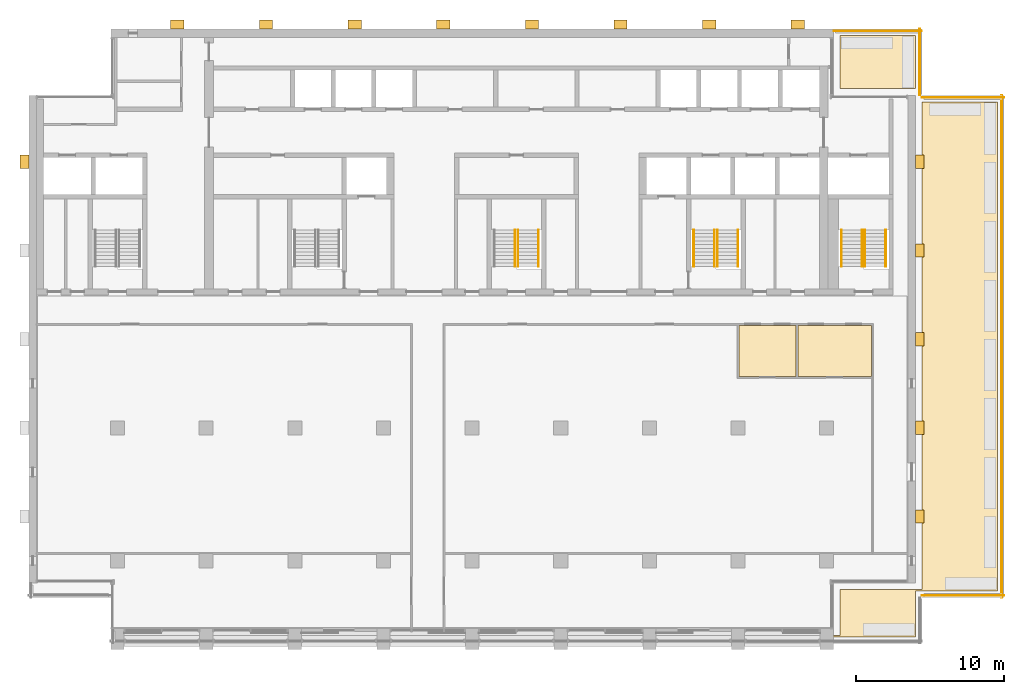
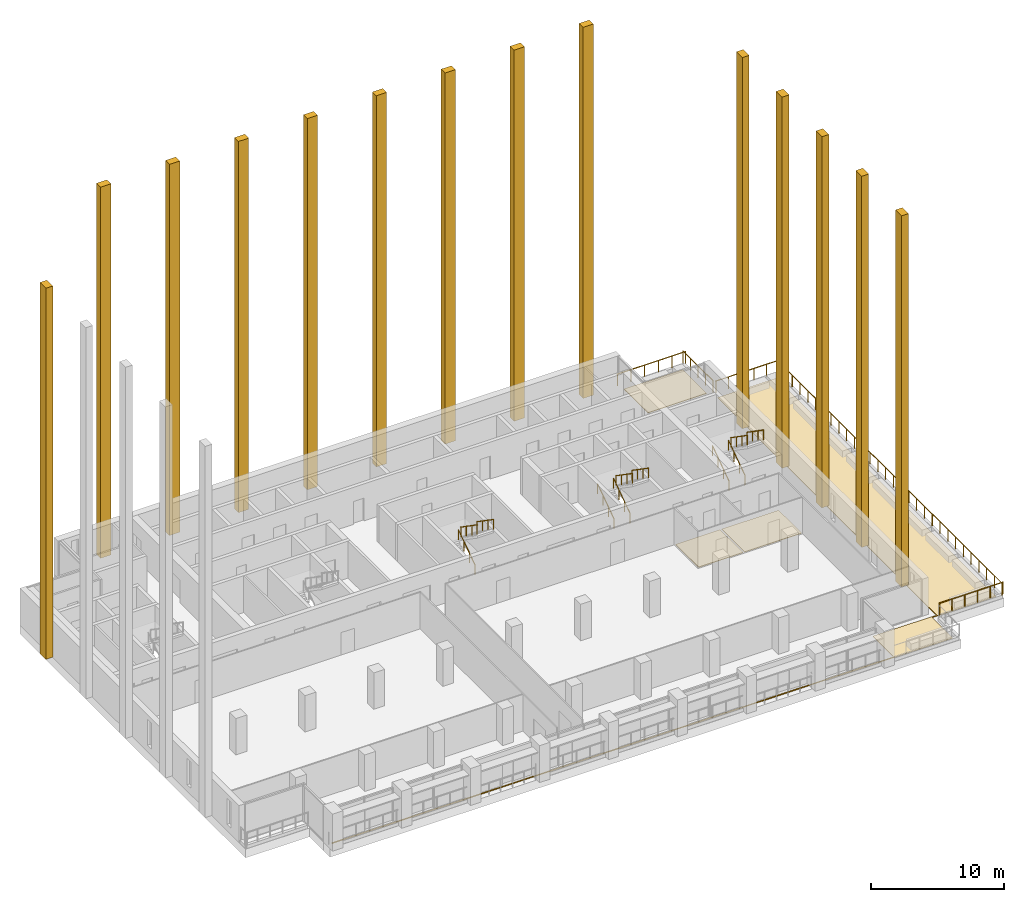
# One storey, part 15 of 16: 18 coverings, 16 railings, 3 elements without a shape of their own.
"""IFC4 building model written with IfcOpenShell, lengths in metres."""

from ifc_helpers import new_model, si_unit, direction, frame, origin, origin_2d, place, context, subcontext, project, spatial, polyline, circle, outline, extrude, material, layer, layer_set, type_object, element, aggregate, save


model = new_model("IFC4")

# Units and contexts
model_context = context("Model", 3, precision=1e-05, world=origin(), true_north=direction((0.0, 1.0)))
body_context = subcontext(model_context, "Body", "Model", "MODEL_VIEW")
ifc_project = project(units=[si_unit("LENGTHUNIT", "METRE"), si_unit("AREAUNIT", "SQUARE_METRE"), si_unit("VOLUMEUNIT", "CUBIC_METRE"), si_unit("PLANEANGLEUNIT", "RADIAN"), si_unit("MASSUNIT", "GRAM", prefix="KILO")], contexts=[model_context])

# Site, building, storey
site_placement = place(None, origin())
site = spatial("IfcSite", under=ifc_project, at=site_placement, CompositionType="ELEMENT")
building_placement = place(site_placement, origin())
building = spatial("IfcBuilding", under=site, at=building_placement, Name="Calvaro Tower", CompositionType="ELEMENT")
storey_placement = place(building_placement, frame((0.0, 0.0, 231.75)))
storey = spatial("IfcBuildingStorey", under=building, at=storey_placement, Name="L58", CompositionType="ELEMENT", Elevation=231.75)

# Coverings
ifc_material_1 = material(Name="Cement screed with carpet tile finish")
ifc_layer_1 = layer(ifc_material_1, 0.050048828125)
ifc_layer_set_1 = layer_set([ifc_layer_1], Name="Cement screed with carpet tile finish")
covering_type_1 = type_object("IfcCoveringType", Name="Floor finish 50", PredefinedType="FLOORING", material=ifc_layer_set_1)
covering_1_placement = place(storey_placement, origin())
element("IfcCovering", 1, at=covering_1_placement, inside=storey, type_object=covering_type_1, Name="Floor finish 43.06", PredefinedType="FLOORING", context=body_context, shape_type="SweptSolid", body=[
    extrude(outline(polyline([(54.070068359375, 22.469970703125), (54.070068359375, 25.929931640625), (57.929931640625, 25.929931640625), (57.929931640625, 22.469970703125), (54.070068359375, 22.469970703125)])), origin(), (0.0, 0.0, 1.0), 0.050048828125),
])
covering_2_placement = place(storey_placement, origin())
element("IfcCovering", 2, at=covering_2_placement, inside=storey, type_object=covering_type_1, Name="Floor finish 43.07", PredefinedType="FLOORING", context=body_context, shape_type="SweptSolid", body=[
    extrude(outline(polyline([(58.070068359375, 22.469970703125), (58.070068359375, 25.929931640625), (63.030029296875, 25.929931640625), (63.030029296875, 22.469970703125), (58.070068359375, 22.469970703125)])), origin(), (0.0, 0.0, 1.0), 0.050048828125),
])

# Railings
ifc_material_2 = material(Name="Stainless steel", Category="steel")
railing_type_1 = type_object("IfcRailingType", Name="Guard 1100", PredefinedType="GUARDRAIL", material=ifc_material_2)
railing_1_placement = place(storey_placement, frame((60.469970703125, 45.85009765625, 0.300048828125)))
element("IfcRailing", 3, at=railing_1_placement, inside=storey, type_object=railing_type_1, Name="Terrace guard", PredefinedType="GUARDRAIL", context=body_context, shape_type="SweptSolid", body=[
    extrude(circle(Radius=0.02392578125, at=origin_2d()), frame((0.0, 0.0, 1.076171875), z_axis=(1.0, 0.0, 0.0), x_axis=(0.0, 1.0, 0.0)), (0.0, 0.0, 1.0), 5.97998046875),
    extrude(circle(Radius=0.02099609375, at=origin_2d()), frame((0.02099609375, 0.0, 0.0)), (0.0, 0.0, 1.0), 1.052001953125),
    extrude(circle(Radius=0.02099609375, at=origin_2d()), frame((1.196044921875, 0.0, 0.0)), (0.0, 0.0, 1.0), 1.052001953125),
    extrude(circle(Radius=0.02099609375, at=origin_2d()), frame((2.39208984375, 0.0, 0.0)), (0.0, 0.0, 1.0), 1.052001953125),
    extrude(circle(Radius=0.02099609375, at=origin_2d()), frame((3.587890625, 0.0, 0.0)), (0.0, 0.0, 1.0), 1.052001953125),
    extrude(circle(Radius=0.02099609375, at=origin_2d()), frame((4.783935546875, 0.0, 0.0)), (0.0, 0.0, 1.0), 1.052001953125),
    extrude(circle(Radius=0.02099609375, at=origin_2d()), frame((5.958984375, 0.0, 0.0)), (0.0, 0.0, 1.0), 1.052001953125),
])
railing_2_placement = place(storey_placement, frame((66.300048828125, 46.0, 0.300048828125)))
element("IfcRailing", 4, at=railing_2_placement, inside=storey, type_object=railing_type_1, Name="Terrace guard", PredefinedType="GUARDRAIL", context=body_context, shape_type="SweptSolid", body=[
    extrude(circle(Radius=0.02392578125, at=origin_2d()), frame((0.0, 0.0, 1.076171875), z_axis=(0.0, -1.0, 0.0), x_axis=(1.0, 0.0, 0.0)), (0.0, 0.0, 1.0), 4.5),
    extrude(circle(Radius=0.02099609375, at=origin_2d()), frame((0.0, -0.02099609375, 0.0)), (0.0, 0.0, 1.0), 1.052001953125),
    extrude(circle(Radius=0.02099609375, at=origin_2d()), frame((0.0, -1.125, 0.0)), (0.0, 0.0, 1.0), 1.052001953125),
    extrude(circle(Radius=0.02099609375, at=origin_2d()), frame((0.0, -2.25, 0.0)), (0.0, 0.0, 1.0), 1.052001953125),
    extrude(circle(Radius=0.02099609375, at=origin_2d()), frame((0.0, -3.375, 0.0)), (0.0, 0.0, 1.0), 1.052001953125),
    extrude(circle(Radius=0.02099609375, at=origin_2d()), frame((0.0, -4.47900390625, 0.0)), (0.0, 0.0, 1.0), 1.052001953125),
])
railing_3_placement = place(storey_placement, frame((66.449951171875, 41.35009765625, 0.300048828125)))
element("IfcRailing", 5, at=railing_3_placement, inside=storey, type_object=railing_type_1, Name="Terrace guard", PredefinedType="GUARDRAIL", context=body_context, shape_type="SweptSolid", body=[
    extrude(circle(Radius=0.02392578125, at=origin_2d()), frame((0.0, 0.0, 1.076171875), z_axis=(1.0, 0.0, 0.0), x_axis=(0.0, 1.0, 0.0)), (0.0, 0.0, 1.0), 5.550048828125),
    extrude(circle(Radius=0.02099609375, at=origin_2d()), frame((0.02099609375, 0.0, 0.0)), (0.0, 0.0, 1.0), 1.052001953125),
    extrude(circle(Radius=0.02099609375, at=origin_2d()), frame((1.110107421875, 0.0, 0.0)), (0.0, 0.0, 1.0), 1.052001953125),
    extrude(circle(Radius=0.02099609375, at=origin_2d()), frame((2.219970703125, 0.0, 0.0)), (0.0, 0.0, 1.0), 1.052001953125),
    extrude(circle(Radius=0.02099609375, at=origin_2d()), frame((3.330078125, 0.0, 0.0)), (0.0, 0.0, 1.0), 1.052001953125),
    extrude(circle(Radius=0.02099609375, at=origin_2d()), frame((4.43994140625, 0.0, 0.0)), (0.0, 0.0, 1.0), 1.052001953125),
    extrude(circle(Radius=0.02099609375, at=origin_2d()), frame((5.529052734375, 0.0, 0.0)), (0.0, 0.0, 1.0), 1.052001953125),
])
railing_4_placement = place(storey_placement, frame((71.85009765625, 41.5, 0.300048828125)))
element("IfcRailing", 6, at=railing_4_placement, inside=storey, type_object=railing_type_1, Name="Terrace guard", PredefinedType="GUARDRAIL", context=body_context, shape_type="SweptSolid", body=[
    extrude(circle(Radius=0.02392578125, at=origin_2d()), frame((0.0, 0.0, 1.076171875), z_axis=(0.0, -1.0, 0.0), x_axis=(1.0, 0.0, 0.0)), (0.0, 0.0, 1.0), 34.0),
    extrude(circle(Radius=0.02099609375, at=origin_2d()), frame((0.0, -0.02099609375, 0.0)), (0.0, 0.0, 1.0), 1.052001953125),
    extrude(circle(Radius=0.02099609375, at=origin_2d()), frame((0.0, -1.17236328125, 0.0)), (0.0, 0.0, 1.0), 1.052001953125),
    extrude(circle(Radius=0.02099609375, at=origin_2d()), frame((0.0, -2.3447265625, 0.0)), (0.0, 0.0, 1.0), 1.052001953125),
    extrude(circle(Radius=0.02099609375, at=origin_2d()), frame((0.0, -3.517333984375, 0.0)), (0.0, 0.0, 1.0), 1.052001953125),
    extrude(circle(Radius=0.02099609375, at=origin_2d()), frame((0.0, -4.689697265625, 0.0)), (0.0, 0.0, 1.0), 1.052001953125),
    extrude(circle(Radius=0.02099609375, at=origin_2d()), frame((0.0, -5.862060546875, 0.0)), (0.0, 0.0, 1.0), 1.052001953125),
    extrude(circle(Radius=0.02099609375, at=origin_2d()), frame((0.0, -7.034423828125, 0.0)), (0.0, 0.0, 1.0), 1.052001953125),
    extrude(circle(Radius=0.02099609375, at=origin_2d()), frame((0.0, -8.206787109375, 0.0)), (0.0, 0.0, 1.0), 1.052001953125),
    extrude(circle(Radius=0.02099609375, at=origin_2d()), frame((0.0, -9.37939453125, 0.0)), (0.0, 0.0, 1.0), 1.052001953125),
    extrude(circle(Radius=0.02099609375, at=origin_2d()), frame((0.0, -10.5517578125, 0.0)), (0.0, 0.0, 1.0), 1.052001953125),
    extrude(circle(Radius=0.02099609375, at=origin_2d()), frame((0.0, -11.72412109375, 0.0)), (0.0, 0.0, 1.0), 1.052001953125),
    extrude(circle(Radius=0.02099609375, at=origin_2d()), frame((0.0, -12.896484375, 0.0)), (0.0, 0.0, 1.0), 1.052001953125),
    extrude(circle(Radius=0.02099609375, at=origin_2d()), frame((0.0, -14.06884765625, 0.0)), (0.0, 0.0, 1.0), 1.052001953125),
    extrude(circle(Radius=0.02099609375, at=origin_2d()), frame((0.0, -15.241455078125, 0.0)), (0.0, 0.0, 1.0), 1.052001953125),
    extrude(circle(Radius=0.02099609375, at=origin_2d()), frame((0.0, -16.413818359375, 0.0)), (0.0, 0.0, 1.0), 1.052001953125),
    extrude(circle(Radius=0.02099609375, at=origin_2d()), frame((0.0, -17.586181640625, 0.0)), (0.0, 0.0, 1.0), 1.052001953125),
    extrude(circle(Radius=0.02099609375, at=origin_2d()), frame((0.0, -18.758544921875, 0.0)), (0.0, 0.0, 1.0), 1.052001953125),
    extrude(circle(Radius=0.02099609375, at=origin_2d()), frame((0.0, -19.93115234375, 0.0)), (0.0, 0.0, 1.0), 1.052001953125),
    extrude(circle(Radius=0.02099609375, at=origin_2d()), frame((0.0, -21.103515625, 0.0)), (0.0, 0.0, 1.0), 1.052001953125),
    extrude(circle(Radius=0.02099609375, at=origin_2d()), frame((0.0, -22.27587890625, 0.0)), (0.0, 0.0, 1.0), 1.052001953125),
    extrude(circle(Radius=0.02099609375, at=origin_2d()), frame((0.0, -23.4482421875, 0.0)), (0.0, 0.0, 1.0), 1.052001953125),
    extrude(circle(Radius=0.02099609375, at=origin_2d()), frame((0.0, -24.62060546875, 0.0)), (0.0, 0.0, 1.0), 1.052001953125),
    extrude(circle(Radius=0.02099609375, at=origin_2d()), frame((0.0, -25.793212890625, 0.0)), (0.0, 0.0, 1.0), 1.052001953125),
    extrude(circle(Radius=0.02099609375, at=origin_2d()), frame((0.0, -26.965576171875, 0.0)), (0.0, 0.0, 1.0), 1.052001953125),
    extrude(circle(Radius=0.02099609375, at=origin_2d()), frame((0.0, -28.137939453125, 0.0)), (0.0, 0.0, 1.0), 1.052001953125),
    extrude(circle(Radius=0.02099609375, at=origin_2d()), frame((0.0, -29.310302734375, 0.0)), (0.0, 0.0, 1.0), 1.052001953125),
    extrude(circle(Radius=0.02099609375, at=origin_2d()), frame((0.0, -30.482666015625, 0.0)), (0.0, 0.0, 1.0), 1.052001953125),
    extrude(circle(Radius=0.02099609375, at=origin_2d()), frame((0.0, -31.6552734375, 0.0)), (0.0, 0.0, 1.0), 1.052001953125),
    extrude(circle(Radius=0.02099609375, at=origin_2d()), frame((0.0, -32.82763671875, 0.0)), (0.0, 0.0, 1.0), 1.052001953125),
    extrude(circle(Radius=0.02099609375, at=origin_2d()), frame((0.0, -33.97900390625, 0.0)), (0.0, 0.0, 1.0), 1.052001953125),
])
railing_5_placement = place(storey_placement, frame((72.0, 7.64990234375, 0.300048828125)))
element("IfcRailing", 7, at=railing_5_placement, inside=storey, type_object=railing_type_1, Name="Terrace guard", PredefinedType="GUARDRAIL", context=body_context, shape_type="SweptSolid", body=[
    extrude(circle(Radius=0.02392578125, at=origin_2d()), frame((0.0, 0.0, 1.076171875), z_axis=(-1.0, 0.0, 0.0), x_axis=(0.0, -1.0, 0.0)), (0.0, 0.0, 1.0), 5.550048828125),
    extrude(circle(Radius=0.02099609375, at=origin_2d()), frame((-0.02099609375, 0.0, 0.0)), (0.0, 0.0, 1.0), 1.052001953125),
    extrude(circle(Radius=0.02099609375, at=origin_2d()), frame((-1.110107421875, 0.0, 0.0)), (0.0, 0.0, 1.0), 1.052001953125),
    extrude(circle(Radius=0.02099609375, at=origin_2d()), frame((-2.219970703125, 0.0, 0.0)), (0.0, 0.0, 1.0), 1.052001953125),
    extrude(circle(Radius=0.02099609375, at=origin_2d()), frame((-3.330078125, 0.0, 0.0)), (0.0, 0.0, 1.0), 1.052001953125),
    extrude(circle(Radius=0.02099609375, at=origin_2d()), frame((-4.43994140625, 0.0, 0.0)), (0.0, 0.0, 1.0), 1.052001953125),
    extrude(circle(Radius=0.02099609375, at=origin_2d()), frame((-5.529052734375, 0.0, 0.0)), (0.0, 0.0, 1.0), 1.052001953125),
])

# Stair, railings
ifc_material_3 = material(Name="Concrete C40/50", Category="concrete")
stair_type = type_object("IfcStairType", Name="Exit stair 1400 2 flights", PredefinedType="HALF_TURN_STAIR", material=ifc_material_3)
stair_1_placement = place(storey_placement, origin())
stair_1 = element("IfcStair", 8, at=stair_1_placement, inside=storey, type_object=stair_type, Name="Exit stair S3", PredefinedType="HALF_TURN_STAIR")
ifc_material_4 = material(Name="Stainless steel", Category="steel")
railing_type_2 = type_object("IfcRailingType", Name="Stair handrail", PredefinedType="HANDRAIL", material=ifc_material_4)
railing_6_placement = place(storey_placement, frame((38.89990234375, 29.89990234375, 0.172607421875)))
railing_6 = element("IfcRailing", 9, at=railing_6_placement, type_object=railing_type_2, Name="Exit stair 3 handrail", PredefinedType="HANDRAIL", context=body_context, shape_type="SweptSolid", body=[
    extrude(circle(Radius=0.02392578125, at=origin_2d()), frame((0.0, 0.0, 0.8759765625), z_axis=(0.0, 0.822726922227, 0.568436813941), x_axis=(-1.0, 0.0, 0.0)), (0.0, 0.0, 1.0), 3.03857421875),
    extrude(circle(Radius=0.02099609375, at=origin_2d()), frame((0.0, 0.017333984375, 0.011962890625)), (0.0, 0.0, 1.0), 0.851806640625),
    extrude(circle(Radius=0.02099609375, at=origin_2d()), frame((0.0, 0.833251953125, 0.57568359375)), (0.0, 0.0, 1.0), 0.851806640625),
    extrude(circle(Radius=0.02099609375, at=origin_2d()), frame((0.0, 1.666748046875, 1.151611328125)), (0.0, 0.0, 1.0), 0.851806640625),
    extrude(circle(Radius=0.02099609375, at=origin_2d()), frame((0.0, 2.482666015625, 1.71533203125)), (0.0, 0.0, 1.0), 0.851806640625),
])
railing_7_placement = place(storey_placement, frame((39.10009765625, 32.39990234375, 2.07275390625)))
railing_7 = element("IfcRailing", 10, at=railing_7_placement, type_object=railing_type_2, Name="Exit stair 3 handrail", PredefinedType="HANDRAIL", context=body_context, shape_type="SweptSolid", body=[
    extrude(circle(Radius=0.02392578125, at=origin_2d()), frame((0.0, 0.0, 0.8759765625), z_axis=(0.0, -0.822726922227, 0.568436813941), x_axis=(1.0, 0.0, 0.0)), (0.0, 0.0, 1.0), 3.03857421875),
    extrude(circle(Radius=0.02099609375, at=origin_2d()), frame((0.0, -0.017333984375, 0.011962890625)), (0.0, 0.0, 1.0), 0.851806640625),
    extrude(circle(Radius=0.02099609375, at=origin_2d()), frame((0.0, -0.833251953125, 0.57568359375)), (0.0, 0.0, 1.0), 0.851806640625),
    extrude(circle(Radius=0.02099609375, at=origin_2d()), frame((0.0, -1.666748046875, 1.151611328125)), (0.0, 0.0, 1.0), 0.851806640625),
    extrude(circle(Radius=0.02099609375, at=origin_2d()), frame((0.0, -2.482666015625, 1.71533203125)), (0.0, 0.0, 1.0), 0.851806640625),
])
railing_8_placement = place(storey_placement, frame((40.5, 32.39990234375, 2.07275390625)))
railing_8 = element("IfcRailing", 11, at=railing_8_placement, type_object=railing_type_2, Name="Exit stair 3 handrail", PredefinedType="HANDRAIL", context=body_context, shape_type="SweptSolid", body=[
    extrude(circle(Radius=0.02392578125, at=origin_2d()), frame((0.0, 0.0, 0.8759765625), z_axis=(0.0, -0.822726922227, 0.568436813941), x_axis=(1.0, 0.0, 0.0)), (0.0, 0.0, 1.0), 3.03857421875),
    extrude(circle(Radius=0.02099609375, at=origin_2d()), frame((0.0, -0.017333984375, 0.011962890625)), (0.0, 0.0, 1.0), 0.851806640625),
    extrude(circle(Radius=0.02099609375, at=origin_2d()), frame((0.0, -0.833251953125, 0.57568359375)), (0.0, 0.0, 1.0), 0.851806640625),
    extrude(circle(Radius=0.02099609375, at=origin_2d()), frame((0.0, -1.666748046875, 1.151611328125)), (0.0, 0.0, 1.0), 0.851806640625),
    extrude(circle(Radius=0.02099609375, at=origin_2d()), frame((0.0, -2.482666015625, 1.71533203125)), (0.0, 0.0, 1.0), 0.851806640625),
])
aggregate(stair_1, [railing_6, railing_7, railing_8])

stair_2_placement = place(storey_placement, origin())
stair_2 = element("IfcStair", 12, at=stair_2_placement, inside=storey, type_object=stair_type, Name="Exit stair S4", PredefinedType="HALF_TURN_STAIR")
railing_9_placement = place(storey_placement, frame((52.39990234375, 29.89990234375, 0.172607421875)))
railing_9 = element("IfcRailing", 13, at=railing_9_placement, type_object=railing_type_2, Name="Exit stair 4 handrail", PredefinedType="HANDRAIL", context=body_context, shape_type="SweptSolid", body=[
    extrude(circle(Radius=0.02392578125, at=origin_2d()), frame((0.0, 0.0, 0.8759765625), z_axis=(0.0, 0.822726922227, 0.568436813941), x_axis=(-1.0, 0.0, 0.0)), (0.0, 0.0, 1.0), 3.03857421875),
    extrude(circle(Radius=0.02099609375, at=origin_2d()), frame((0.0, 0.017333984375, 0.011962890625)), (0.0, 0.0, 1.0), 0.851806640625),
    extrude(circle(Radius=0.02099609375, at=origin_2d()), frame((0.0, 0.833251953125, 0.57568359375)), (0.0, 0.0, 1.0), 0.851806640625),
    extrude(circle(Radius=0.02099609375, at=origin_2d()), frame((0.0, 1.666748046875, 1.151611328125)), (0.0, 0.0, 1.0), 0.851806640625),
    extrude(circle(Radius=0.02099609375, at=origin_2d()), frame((0.0, 2.482666015625, 1.71533203125)), (0.0, 0.0, 1.0), 0.851806640625),
])
railing_10_placement = place(storey_placement, frame((51.0, 29.89990234375, 0.172607421875)))
railing_10 = element("IfcRailing", 14, at=railing_10_placement, type_object=railing_type_2, Name="Exit stair 4 handrail", PredefinedType="HANDRAIL", context=body_context, shape_type="SweptSolid", body=[
    extrude(circle(Radius=0.02392578125, at=origin_2d()), frame((0.0, 0.0, 0.8759765625), z_axis=(0.0, 0.822726922227, 0.568436813941), x_axis=(-1.0, 0.0, 0.0)), (0.0, 0.0, 1.0), 3.03857421875),
    extrude(circle(Radius=0.02099609375, at=origin_2d()), frame((0.0, 0.017333984375, 0.011962890625)), (0.0, 0.0, 1.0), 0.851806640625),
    extrude(circle(Radius=0.02099609375, at=origin_2d()), frame((0.0, 0.833251953125, 0.57568359375)), (0.0, 0.0, 1.0), 0.851806640625),
    extrude(circle(Radius=0.02099609375, at=origin_2d()), frame((0.0, 1.666748046875, 1.151611328125)), (0.0, 0.0, 1.0), 0.851806640625),
    extrude(circle(Radius=0.02099609375, at=origin_2d()), frame((0.0, 2.482666015625, 1.71533203125)), (0.0, 0.0, 1.0), 0.851806640625),
])
railing_11_placement = place(storey_placement, frame((52.60009765625, 32.39990234375, 2.07275390625)))
railing_11 = element("IfcRailing", 15, at=railing_11_placement, type_object=railing_type_2, Name="Exit stair 4 handrail", PredefinedType="HANDRAIL", context=body_context, shape_type="SweptSolid", body=[
    extrude(circle(Radius=0.02392578125, at=origin_2d()), frame((0.0, 0.0, 0.8759765625), z_axis=(0.0, -0.822726922227, 0.568436813941), x_axis=(1.0, 0.0, 0.0)), (0.0, 0.0, 1.0), 3.03857421875),
    extrude(circle(Radius=0.02099609375, at=origin_2d()), frame((0.0, -0.017333984375, 0.011962890625)), (0.0, 0.0, 1.0), 0.851806640625),
    extrude(circle(Radius=0.02099609375, at=origin_2d()), frame((0.0, -0.833251953125, 0.57568359375)), (0.0, 0.0, 1.0), 0.851806640625),
    extrude(circle(Radius=0.02099609375, at=origin_2d()), frame((0.0, -1.666748046875, 1.151611328125)), (0.0, 0.0, 1.0), 0.851806640625),
    extrude(circle(Radius=0.02099609375, at=origin_2d()), frame((0.0, -2.482666015625, 1.71533203125)), (0.0, 0.0, 1.0), 0.851806640625),
])
railing_12_placement = place(storey_placement, frame((54.0, 32.39990234375, 2.07275390625)))
railing_12 = element("IfcRailing", 16, at=railing_12_placement, type_object=railing_type_2, Name="Exit stair 4 handrail", PredefinedType="HANDRAIL", context=body_context, shape_type="SweptSolid", body=[
    extrude(circle(Radius=0.02392578125, at=origin_2d()), frame((0.0, 0.0, 0.8759765625), z_axis=(0.0, -0.822726922227, 0.568436813941), x_axis=(1.0, 0.0, 0.0)), (0.0, 0.0, 1.0), 3.03857421875),
    extrude(circle(Radius=0.02099609375, at=origin_2d()), frame((0.0, -0.017333984375, 0.011962890625)), (0.0, 0.0, 1.0), 0.851806640625),
    extrude(circle(Radius=0.02099609375, at=origin_2d()), frame((0.0, -0.833251953125, 0.57568359375)), (0.0, 0.0, 1.0), 0.851806640625),
    extrude(circle(Radius=0.02099609375, at=origin_2d()), frame((0.0, -1.666748046875, 1.151611328125)), (0.0, 0.0, 1.0), 0.851806640625),
    extrude(circle(Radius=0.02099609375, at=origin_2d()), frame((0.0, -2.482666015625, 1.71533203125)), (0.0, 0.0, 1.0), 0.851806640625),
])
aggregate(stair_2, [railing_9, railing_10, railing_11, railing_12])

stair_3_placement = place(storey_placement, origin())
stair_3 = element("IfcStair", 17, at=stair_3_placement, inside=storey, type_object=stair_type, Name="Exit stair S5", PredefinedType="HALF_TURN_STAIR")
railing_13_placement = place(storey_placement, frame((62.39990234375, 29.89990234375, 0.172607421875)))
railing_13 = element("IfcRailing", 18, at=railing_13_placement, type_object=railing_type_2, Name="Exit stair 5 handrail", PredefinedType="HANDRAIL", context=body_context, shape_type="SweptSolid", body=[
    extrude(circle(Radius=0.02392578125, at=origin_2d()), frame((0.0, 0.0, 0.8759765625), z_axis=(0.0, 0.822726922227, 0.568436813941), x_axis=(-1.0, 0.0, 0.0)), (0.0, 0.0, 1.0), 3.03857421875),
    extrude(circle(Radius=0.02099609375, at=origin_2d()), frame((0.0, 0.017333984375, 0.011962890625)), (0.0, 0.0, 1.0), 0.851806640625),
    extrude(circle(Radius=0.02099609375, at=origin_2d()), frame((0.0, 0.833251953125, 0.57568359375)), (0.0, 0.0, 1.0), 0.851806640625),
    extrude(circle(Radius=0.02099609375, at=origin_2d()), frame((0.0, 1.666748046875, 1.151611328125)), (0.0, 0.0, 1.0), 0.851806640625),
    extrude(circle(Radius=0.02099609375, at=origin_2d()), frame((0.0, 2.482666015625, 1.71533203125)), (0.0, 0.0, 1.0), 0.851806640625),
])
railing_14_placement = place(storey_placement, frame((61.0, 29.89990234375, 0.172607421875)))
railing_14 = element("IfcRailing", 19, at=railing_14_placement, type_object=railing_type_2, Name="Exit stair 5 handrail", PredefinedType="HANDRAIL", context=body_context, shape_type="SweptSolid", body=[
    extrude(circle(Radius=0.02392578125, at=origin_2d()), frame((0.0, 0.0, 0.8759765625), z_axis=(0.0, 0.822726922227, 0.568436813941), x_axis=(-1.0, 0.0, 0.0)), (0.0, 0.0, 1.0), 3.03857421875),
    extrude(circle(Radius=0.02099609375, at=origin_2d()), frame((0.0, 0.017333984375, 0.011962890625)), (0.0, 0.0, 1.0), 0.851806640625),
    extrude(circle(Radius=0.02099609375, at=origin_2d()), frame((0.0, 0.833251953125, 0.57568359375)), (0.0, 0.0, 1.0), 0.851806640625),
    extrude(circle(Radius=0.02099609375, at=origin_2d()), frame((0.0, 1.666748046875, 1.151611328125)), (0.0, 0.0, 1.0), 0.851806640625),
    extrude(circle(Radius=0.02099609375, at=origin_2d()), frame((0.0, 2.482666015625, 1.71533203125)), (0.0, 0.0, 1.0), 0.851806640625),
])
railing_15_placement = place(storey_placement, frame((62.60009765625, 32.39990234375, 2.07275390625)))
railing_15 = element("IfcRailing", 20, at=railing_15_placement, type_object=railing_type_2, Name="Exit stair 5 handrail", PredefinedType="HANDRAIL", context=body_context, shape_type="SweptSolid", body=[
    extrude(circle(Radius=0.02392578125, at=origin_2d()), frame((0.0, 0.0, 0.8759765625), z_axis=(0.0, -0.822726922227, 0.568436813941), x_axis=(1.0, 0.0, 0.0)), (0.0, 0.0, 1.0), 3.03857421875),
    extrude(circle(Radius=0.02099609375, at=origin_2d()), frame((0.0, -0.017333984375, 0.011962890625)), (0.0, 0.0, 1.0), 0.851806640625),
    extrude(circle(Radius=0.02099609375, at=origin_2d()), frame((0.0, -0.833251953125, 0.57568359375)), (0.0, 0.0, 1.0), 0.851806640625),
    extrude(circle(Radius=0.02099609375, at=origin_2d()), frame((0.0, -1.666748046875, 1.151611328125)), (0.0, 0.0, 1.0), 0.851806640625),
    extrude(circle(Radius=0.02099609375, at=origin_2d()), frame((0.0, -2.482666015625, 1.71533203125)), (0.0, 0.0, 1.0), 0.851806640625),
])
railing_16_placement = place(storey_placement, frame((64.0, 32.39990234375, 2.07275390625)))
railing_16 = element("IfcRailing", 21, at=railing_16_placement, type_object=railing_type_2, Name="Exit stair 5 handrail", PredefinedType="HANDRAIL", context=body_context, shape_type="SweptSolid", body=[
    extrude(circle(Radius=0.02392578125, at=origin_2d()), frame((0.0, 0.0, 0.8759765625), z_axis=(0.0, -0.822726922227, 0.568436813941), x_axis=(1.0, 0.0, 0.0)), (0.0, 0.0, 1.0), 3.03857421875),
    extrude(circle(Radius=0.02099609375, at=origin_2d()), frame((0.0, -0.017333984375, 0.011962890625)), (0.0, 0.0, 1.0), 0.851806640625),
    extrude(circle(Radius=0.02099609375, at=origin_2d()), frame((0.0, -0.833251953125, 0.57568359375)), (0.0, 0.0, 1.0), 0.851806640625),
    extrude(circle(Radius=0.02099609375, at=origin_2d()), frame((0.0, -1.666748046875, 1.151611328125)), (0.0, 0.0, 1.0), 0.851806640625),
    extrude(circle(Radius=0.02099609375, at=origin_2d()), frame((0.0, -2.482666015625, 1.71533203125)), (0.0, 0.0, 1.0), 0.851806640625),
])
aggregate(stair_3, [railing_13, railing_14, railing_15, railing_16])

# Coverings
ifc_material_5 = material(Name="Reconstituted stone", Category="masonry")
ifc_layer_2 = layer(ifc_material_5, 0.60009765625)
ifc_layer_set_2 = layer_set([ifc_layer_2], Name="Reconstituted stone")
covering_type_2 = type_object("IfcCoveringType", Name="Stone pilaster 900 x 600", PredefinedType="CLADDING", material=ifc_layer_set_2)
covering_3_placement = place(storey_placement, frame((0.0, 0.0, 0.050048828125)))
element("IfcCovering", 22, at=covering_3_placement, inside=storey, type_object=covering_type_2, Name="Stone pilaster", PredefinedType="CLADDING", context=body_context, shape_type="SweptSolid", body=[
    extrude(outline(polyline([(15.60009765625, 46.0), (16.5, 46.0), (16.5, 46.60009765625), (15.60009765625, 46.60009765625), (15.60009765625, 46.0)])), origin(), (0.0, 0.0, 1.0), 34.14990234375),
])
covering_4_placement = place(storey_placement, frame((0.0, 0.0, 0.050048828125)))
element("IfcCovering", 23, at=covering_4_placement, inside=storey, type_object=covering_type_2, Name="Stone pilaster", PredefinedType="CLADDING", context=body_context, shape_type="SweptSolid", body=[
    extrude(outline(polyline([(21.60009765625, 46.0), (22.5, 46.0), (22.5, 46.60009765625), (21.60009765625, 46.60009765625), (21.60009765625, 46.0)])), origin(), (0.0, 0.0, 1.0), 34.14990234375),
])
covering_5_placement = place(storey_placement, frame((0.0, 0.0, 0.050048828125)))
element("IfcCovering", 24, at=covering_5_placement, inside=storey, type_object=covering_type_2, Name="Stone pilaster", PredefinedType="CLADDING", context=body_context, shape_type="SweptSolid", body=[
    extrude(outline(polyline([(27.60009765625, 46.0), (28.5, 46.0), (28.5, 46.60009765625), (27.60009765625, 46.60009765625), (27.60009765625, 46.0)])), origin(), (0.0, 0.0, 1.0), 34.14990234375),
])
covering_6_placement = place(storey_placement, frame((0.0, 0.0, 0.050048828125)))
element("IfcCovering", 25, at=covering_6_placement, inside=storey, type_object=covering_type_2, Name="Stone pilaster", PredefinedType="CLADDING", context=body_context, shape_type="SweptSolid", body=[
    extrude(outline(polyline([(33.60009765625, 46.0), (34.5, 46.0), (34.5, 46.60009765625), (33.60009765625, 46.60009765625), (33.60009765625, 46.0)])), origin(), (0.0, 0.0, 1.0), 34.14990234375),
])
covering_7_placement = place(storey_placement, frame((0.0, 0.0, 0.050048828125)))
element("IfcCovering", 26, at=covering_7_placement, inside=storey, type_object=covering_type_2, Name="Stone pilaster", PredefinedType="CLADDING", context=body_context, shape_type="SweptSolid", body=[
    extrude(outline(polyline([(39.60009765625, 46.0), (40.5, 46.0), (40.5, 46.60009765625), (39.60009765625, 46.60009765625), (39.60009765625, 46.0)])), origin(), (0.0, 0.0, 1.0), 34.14990234375),
])
covering_8_placement = place(storey_placement, frame((0.0, 0.0, 0.050048828125)))
element("IfcCovering", 27, at=covering_8_placement, inside=storey, type_object=covering_type_2, Name="Stone pilaster", PredefinedType="CLADDING", context=body_context, shape_type="SweptSolid", body=[
    extrude(outline(polyline([(45.60009765625, 46.0), (46.5, 46.0), (46.5, 46.60009765625), (45.60009765625, 46.60009765625), (45.60009765625, 46.0)])), origin(), (0.0, 0.0, 1.0), 34.14990234375),
])
covering_9_placement = place(storey_placement, frame((0.0, 0.0, 0.050048828125)))
element("IfcCovering", 28, at=covering_9_placement, inside=storey, type_object=covering_type_2, Name="Stone pilaster", PredefinedType="CLADDING", context=body_context, shape_type="SweptSolid", body=[
    extrude(outline(polyline([(51.60009765625, 46.0), (52.5, 46.0), (52.5, 46.60009765625), (51.60009765625, 46.60009765625), (51.60009765625, 46.0)])), origin(), (0.0, 0.0, 1.0), 34.14990234375),
])
covering_10_placement = place(storey_placement, frame((0.0, 0.0, 0.050048828125)))
element("IfcCovering", 29, at=covering_10_placement, inside=storey, type_object=covering_type_2, Name="Stone pilaster", PredefinedType="CLADDING", context=body_context, shape_type="SweptSolid", body=[
    extrude(outline(polyline([(57.60009765625, 46.0), (58.5, 46.0), (58.5, 46.60009765625), (57.60009765625, 46.60009765625), (57.60009765625, 46.0)])), origin(), (0.0, 0.0, 1.0), 34.14990234375),
])
covering_11_placement = place(storey_placement, frame((0.0, 0.0, 0.050048828125)))
element("IfcCovering", 30, at=covering_11_placement, inside=storey, type_object=covering_type_2, Name="Stone pilaster", PredefinedType="CLADDING", context=body_context, shape_type="SweptSolid", body=[
    extrude(outline(polyline([(5.39990234375, 36.550048828125), (6.0, 36.550048828125), (6.0, 37.449951171875), (5.39990234375, 37.449951171875), (5.39990234375, 36.550048828125)])), origin(), (0.0, 0.0, 1.0), 34.14990234375),
])
covering_12_placement = place(storey_placement, frame((0.0, 0.0, 0.050048828125)))
element("IfcCovering", 31, at=covering_12_placement, inside=storey, type_object=covering_type_2, Name="Stone pilaster", PredefinedType="CLADDING", context=body_context, shape_type="SweptSolid", body=[
    extrude(outline(polyline([(66.0, 12.550048828125), (66.60009765625, 12.550048828125), (66.60009765625, 13.449951171875), (66.0, 13.449951171875), (66.0, 12.550048828125)])), origin(), (0.0, 0.0, 1.0), 34.14990234375),
])
covering_13_placement = place(storey_placement, frame((0.0, 0.0, 0.050048828125)))
element("IfcCovering", 32, at=covering_13_placement, inside=storey, type_object=covering_type_2, Name="Stone pilaster", PredefinedType="CLADDING", context=body_context, shape_type="SweptSolid", body=[
    extrude(outline(polyline([(66.0, 18.550048828125), (66.60009765625, 18.550048828125), (66.60009765625, 19.449951171875), (66.0, 19.449951171875), (66.0, 18.550048828125)])), origin(), (0.0, 0.0, 1.0), 34.14990234375),
])
covering_14_placement = place(storey_placement, frame((0.0, 0.0, 0.050048828125)))
element("IfcCovering", 33, at=covering_14_placement, inside=storey, type_object=covering_type_2, Name="Stone pilaster", PredefinedType="CLADDING", context=body_context, shape_type="SweptSolid", body=[
    extrude(outline(polyline([(66.0, 24.550048828125), (66.60009765625, 24.550048828125), (66.60009765625, 25.449951171875), (66.0, 25.449951171875), (66.0, 24.550048828125)])), origin(), (0.0, 0.0, 1.0), 34.14990234375),
])
covering_15_placement = place(storey_placement, frame((0.0, 0.0, 0.050048828125)))
element("IfcCovering", 34, at=covering_15_placement, inside=storey, type_object=covering_type_2, Name="Stone pilaster", PredefinedType="CLADDING", context=body_context, shape_type="SweptSolid", body=[
    extrude(outline(polyline([(66.0, 30.550048828125), (66.60009765625, 30.550048828125), (66.60009765625, 31.449951171875), (66.0, 31.449951171875), (66.0, 30.550048828125)])), origin(), (0.0, 0.0, 1.0), 34.14990234375),
])
covering_16_placement = place(storey_placement, frame((0.0, 0.0, 0.050048828125)))
element("IfcCovering", 35, at=covering_16_placement, inside=storey, type_object=covering_type_2, Name="Stone pilaster", PredefinedType="CLADDING", context=body_context, shape_type="SweptSolid", body=[
    extrude(outline(polyline([(66.0, 36.550048828125), (66.60009765625, 36.550048828125), (66.60009765625, 37.449951171875), (66.0, 37.449951171875), (66.0, 36.550048828125)])), origin(), (0.0, 0.0, 1.0), 34.14990234375),
])
ifc_material_6 = material(Name="Single ply membrane")
ifc_layer_3 = layer(ifc_material_6, 0.050048828125)
ifc_layer_set_3 = layer_set([ifc_layer_3], Name="Single ply membrane")
covering_type_3 = type_object("IfcCoveringType", Name="Terrace roofing 50", PredefinedType="ROOFING", material=ifc_layer_set_3)
covering_17_placement = place(storey_placement, origin())
element("IfcCovering", 36, at=covering_17_placement, inside=storey, type_object=covering_type_3, Name="Terrace roofing", PredefinedType="ROOFING", context=body_context, shape_type="SweptSolid", body=[
    extrude(outline(polyline([(66.0, 4.85009765625), (12.0, 4.85009765625), (12.0, 4.949951171875), (60.89990234375, 4.949951171875), (60.89990234375, 8.050048828125), (66.449951171875, 8.050048828125), (66.449951171875, 41.050048828125), (71.550048828125, 41.050048828125), (71.550048828125, 7.949951171875), (66.0, 7.949951171875), (66.0, 4.85009765625)])), origin(), (0.0, 0.0, 1.0), 0.050048828125),
])
covering_18_placement = place(storey_placement, origin())
element("IfcCovering", 37, at=covering_18_placement, inside=storey, type_object=covering_type_3, Name="Terrace roofing", PredefinedType="ROOFING", context=body_context, shape_type="SweptSolid", body=[
    extrude(outline(polyline([(66.0, 41.949951171875), (60.89990234375, 41.949951171875), (60.89990234375, 45.550048828125), (66.0, 45.550048828125), (66.0, 41.949951171875)])), origin(), (0.0, 0.0, 1.0), 0.050048828125),
])

save(model, "model.ifc")
